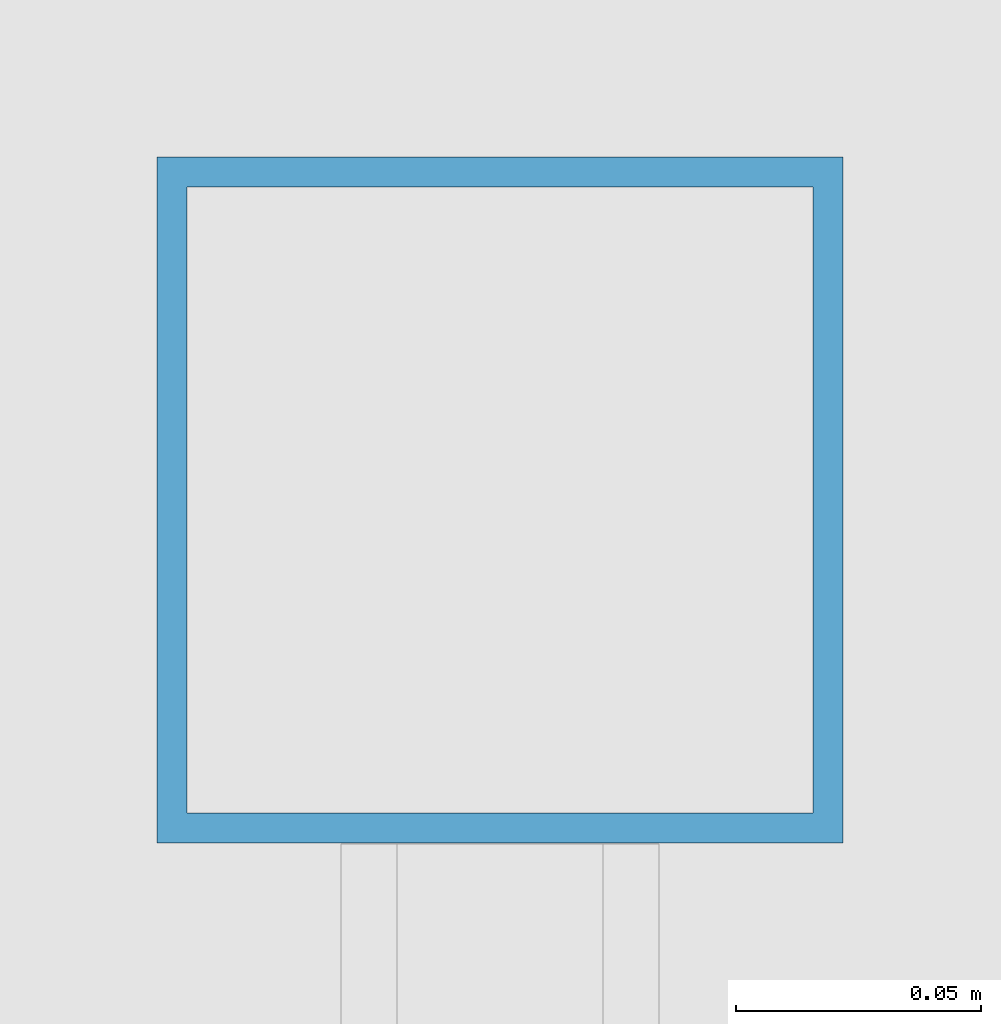
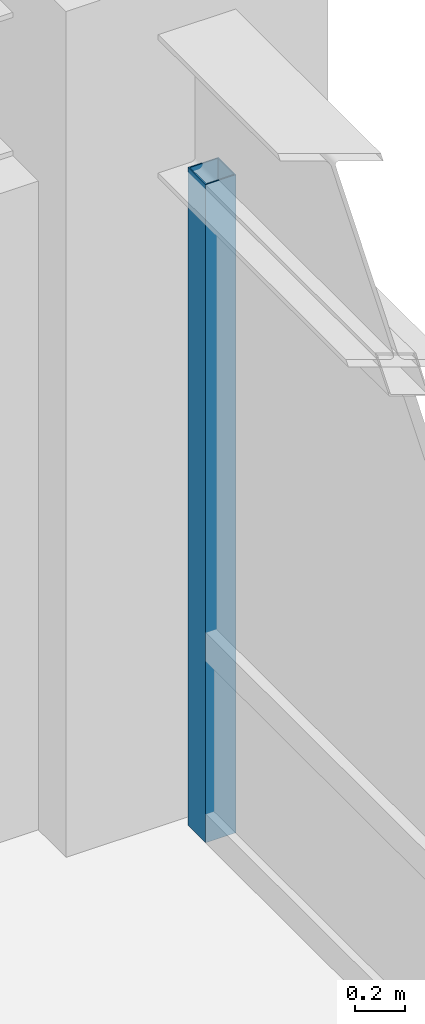
# One storey, part 16 of 32: 1 member, 1 element without a shape of its own.
"""IFC4 building model written with IfcOpenShell, lengths in metres."""

from ifc_helpers import new_model, si_unit, direction, frame, origin, origin_2d, place, context, subcontext, project, spatial, hollow_rectangle, extrude, source, transform, mapped, material, material_profile, profile_set, type_object, element, aggregate, save


model = new_model("IFC4")

# Units and contexts
model_context = context("Model", 3, precision=1e-05, world=origin(), true_north=direction((0.0, 1.0)))
body_context = subcontext(model_context, "Body", "Model", "MODEL_VIEW")
ifc_project = project(units=[si_unit("LENGTHUNIT", "METRE"), si_unit("AREAUNIT", "SQUARE_METRE"), si_unit("VOLUMEUNIT", "CUBIC_METRE"), si_unit("PLANEANGLEUNIT", "RADIAN"), si_unit("MASSUNIT", "GRAM", prefix="KILO")], contexts=[model_context])

# Site, building, storey
site_placement = place(None, origin())
site = spatial("IfcSite", under=ifc_project, at=site_placement, CompositionType="ELEMENT")
building_placement = place(site_placement, origin())
building = spatial("IfcBuilding", under=site, at=building_placement, Name="Khorayat Bourse Tower", CompositionType="ELEMENT")
storey_placement = place(building_placement, frame((0.0, 0.0, 99.60009765625)))
storey = spatial("IfcBuildingStorey", under=building, at=storey_placement, Name="L22", CompositionType="ELEMENT", Elevation=99.60009765625)

# Curtain wall, member
ifc_material = material(Name="Aluminium EN AW-6063 T6", Category="aluminium")
curtain_wall_type = type_object("IfcCurtainWallType", Name="CW-SYS-02", PredefinedType="NOTDEFINED", material=ifc_material)
curtain_wall_placement = place(storey_placement, origin())
curtain_wall = element("IfcCurtainWall", 1, at=curtain_wall_placement, inside=storey, type_object=curtain_wall_type, Name="L22 Curtain Wall CW-L22-E1", PredefinedType="NOTDEFINED")
ifc_material_profile = material_profile(ifc_material, hollow_rectangle(XDim=0.139892578125, YDim=0.139892578125, WallThickness=0.006103515625, at=origin_2d()), Name="ALU 140x140x6")
ifc_profile_set = profile_set([ifc_material_profile], Name="Aluminium EN AW-6063 T6")
member_type = type_object("IfcMemberType", Name="CWM-VERT-140", PredefinedType="MULLION", material=ifc_profile_set)
shared_shape = source(origin(), body_context, "Body", "SweptSolid", [
    extrude(hollow_rectangle(XDim=0.139892578125, YDim=0.139892578125, WallThickness=0.006103515625, at=origin_2d()), origin(), (0.0, 0.0, 1.0), 3.18994140625),
])
member_placement = place(storey_placement, frame((32.0, 27.280029296875, 0.0), z_axis=(0.0, 0.0, 1.0), x_axis=(-1.0, 0.0, 0.0)))
member = element("IfcMember", 2, at=member_placement, type_object=member_type, Name="CW-L22-E1 Vertical Mullion 3", PredefinedType="MULLION", context=body_context, shape_type="MappedRepresentation", body=[
    mapped(shared_shape, transform((0.0, 0.0, 0.0), scale=1.0)),
])
aggregate(curtain_wall, [member])

save(model, "model.ifc")
